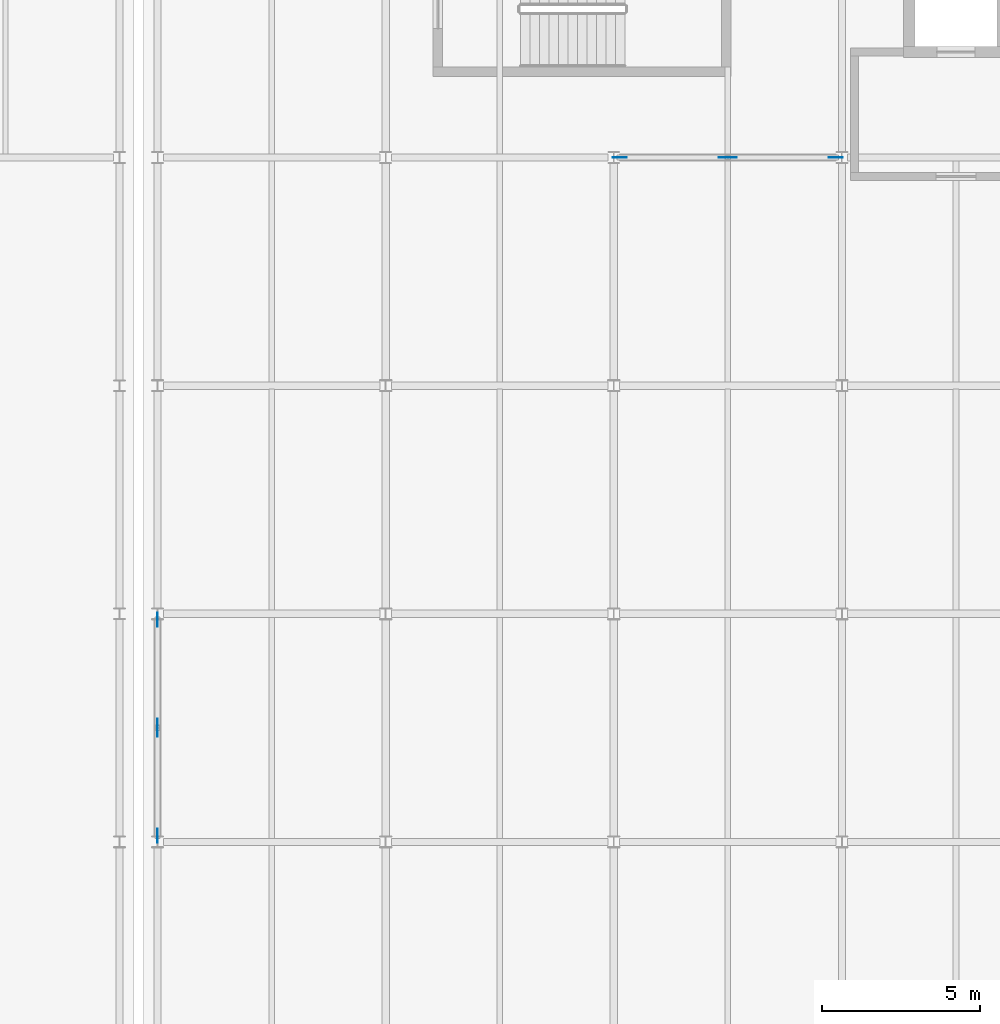
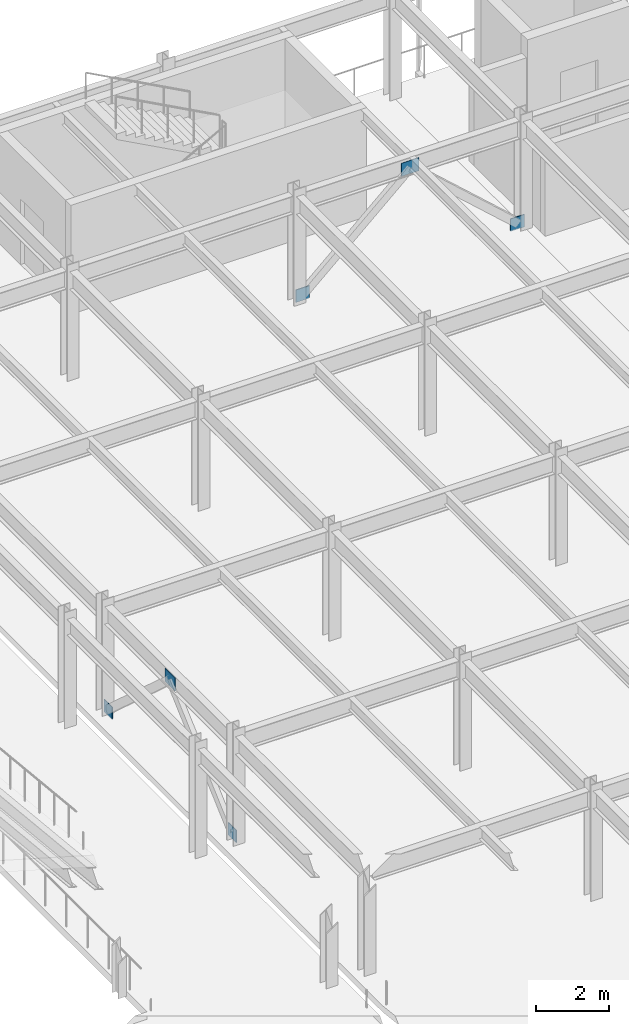
# One storey, part 32 of 52: 6 plates.
"""IFC4 building model written with IfcOpenShell, lengths in metres."""

from ifc_helpers import new_model, si_unit, direction, frame, origin, origin_2d, place, context, subcontext, project, spatial, rectangle, extrude, material, layer, layer_set, type_object, element, save


model = new_model("IFC4")

# Units and contexts
model_context = context("Model", 3, precision=1e-05, world=origin(), true_north=direction((0.0, 1.0)))
body_context = subcontext(model_context, "Body", "Model", "MODEL_VIEW")
ifc_project = project(units=[si_unit("LENGTHUNIT", "METRE"), si_unit("AREAUNIT", "SQUARE_METRE"), si_unit("VOLUMEUNIT", "CUBIC_METRE"), si_unit("PLANEANGLEUNIT", "RADIAN"), si_unit("MASSUNIT", "GRAM", prefix="KILO")], contexts=[model_context])

# Site, building, storey
site_placement = place(None, origin())
site = spatial("IfcSite", under=ifc_project, at=site_placement, CompositionType="ELEMENT")
building_placement = place(site_placement, origin())
building = spatial("IfcBuilding", under=site, at=building_placement, Name="Vaelcorin Mobility Hub", CompositionType="ELEMENT")
storey_placement = place(building_placement, frame((0.0, 0.0, 13.199951171875)))
storey = spatial("IfcBuildingStorey", under=building, at=storey_placement, Name="L03", CompositionType="ELEMENT", Elevation=13.199951171875)

# Plates
ifc_material = material(Name="Steel ASTM A572 Grade 50", Category="steel")
ifc_layer = layer(ifc_material, 0.02490234375)
ifc_layer_set = layer_set([ifc_layer], Name="Steel ASTM A572 Grade 50")
plate_type = type_object("IfcPlateType", Name="PL-GN3", PredefinedType="USERDEFINED", material=ifc_layer_set)
for number, where, z_axis, x_axis, name in (
    (1, (50.590087890625, 112.800048828125, -0.030029296875), (0.0, 0.0, 1.0), (1.0, 0.0, 0.0), "SCBF Gusset Plate GN3 V4-BX1-L03-A"),
    (2, (57.409912109375, 112.800048828125, -0.030029296875), (0.0, 0.0, 1.0), (1.0, 0.0, 0.0), "SCBF Gusset Plate GN3 V4-BX1-L03-B"),
):
    element("IfcPlate", number, at=place(storey_placement, frame(where, z_axis=z_axis, x_axis=x_axis)), inside=storey, type_object=plate_type, Name=name, ObjectType="GUSSET PLATE", PredefinedType="USERDEFINED", context=body_context, shape_type="SweptSolid", body=[
        extrude(rectangle(XDim=0.43994140625, YDim=0.02490234375, at=origin_2d()), origin(), (0.0, 0.0, 1.0), 0.419921875),
    ])
plate_1_placement = place(storey_placement, frame((54.0, 112.800048828125, 3.030029296875), z_axis=(0.0, 0.0, 1.0), x_axis=(1.0, 0.0, 0.0)))
element("IfcPlate", 3, at=plate_1_placement, inside=storey, type_object=plate_type, Name="SCBF Apex Gusset GN3 V4-BX1-L03", ObjectType="GUSSET PLATE", PredefinedType="USERDEFINED", context=body_context, shape_type="SweptSolid", body=[
    extrude(rectangle(XDim=0.56005859375, YDim=0.02490234375, at=origin_2d()), origin(), (0.0, 0.0, 1.0), 0.43994140625),
])
for number, where, z_axis, x_axis, name in (
    (4, (36.0, 91.389892578125, -0.030029296875), (0.0, 0.0, 1.0), (0.0, 1.0, 0.0), "SCBF Gusset Plate GN3 V4-BY1-L03-A"),
    (5, (36.0, 98.2099609375, -0.030029296875), (0.0, 0.0, 1.0), (0.0, 1.0, 0.0), "SCBF Gusset Plate GN3 V4-BY1-L03-B"),
):
    element("IfcPlate", number, at=place(storey_placement, frame(where, z_axis=z_axis, x_axis=x_axis)), inside=storey, type_object=plate_type, Name=name, ObjectType="GUSSET PLATE", PredefinedType="USERDEFINED", context=body_context, shape_type="SweptSolid", body=[
        extrude(rectangle(XDim=0.43994140625, YDim=0.02490234375, at=origin_2d()), origin(), (0.0, 0.0, 1.0), 0.419921875),
    ])
plate_2_placement = place(storey_placement, frame((36.0, 94.800048828125, 3.030029296875), z_axis=(0.0, 0.0, 1.0), x_axis=(0.0, 1.0, 0.0)))
element("IfcPlate", 6, at=plate_2_placement, inside=storey, type_object=plate_type, Name="SCBF Apex Gusset GN3 V4-BY1-L03", ObjectType="GUSSET PLATE", PredefinedType="USERDEFINED", context=body_context, shape_type="SweptSolid", body=[
    extrude(rectangle(XDim=0.56005859375, YDim=0.02490234375, at=origin_2d()), origin(), (0.0, 0.0, 1.0), 0.43994140625),
])

save(model, "model.ifc")
